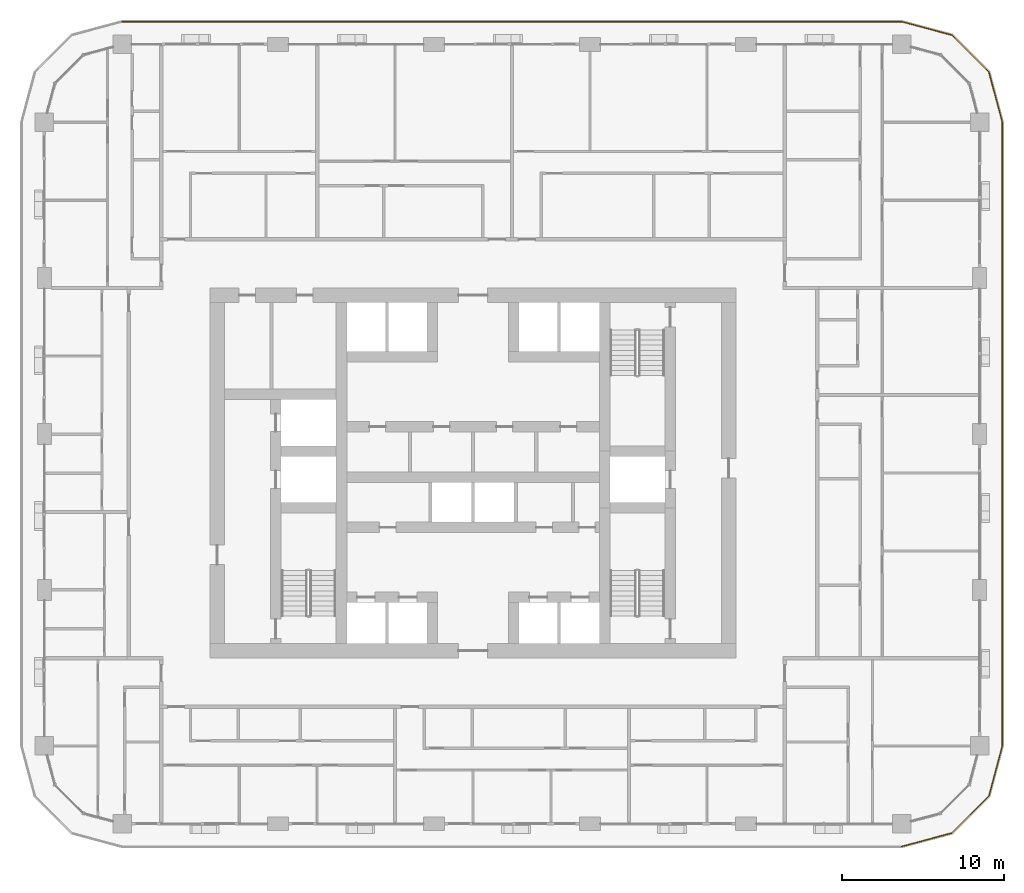
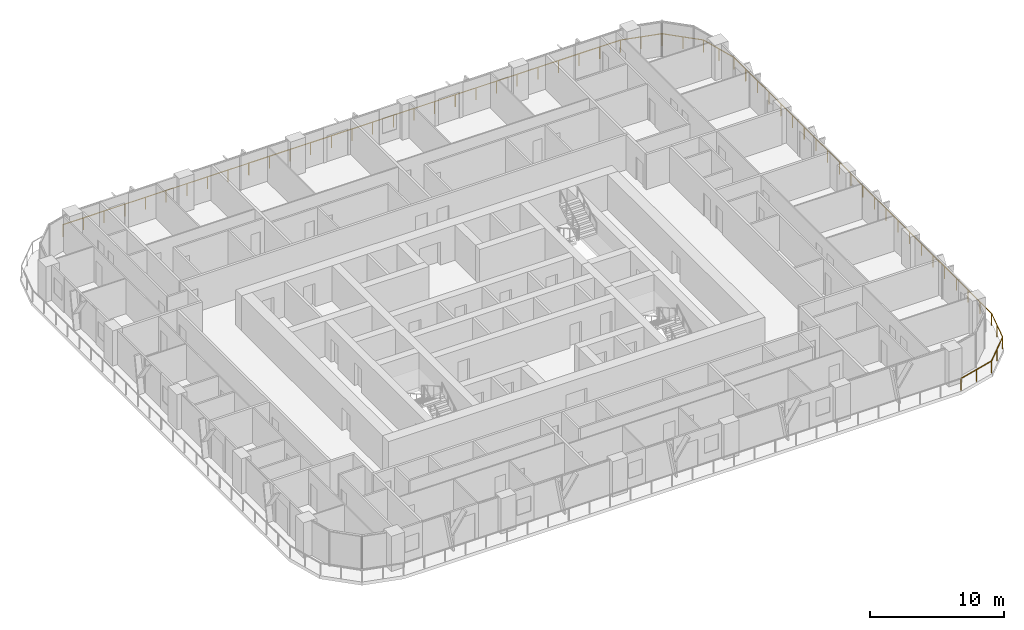
# One storey, part 20 of 22: 1 railing.
"""IFC4 building model written with IfcOpenShell, lengths in metres."""

from ifc_helpers import new_model, si_unit, direction, frame, origin, origin_2d, place, context, subcontext, project, spatial, circle, extrude, material, type_object, element, save


model = new_model("IFC4")

# Units and contexts
model_context = context("Model", 3, precision=1e-05, world=origin(), true_north=direction((0.0, 1.0)))
body_context = subcontext(model_context, "Body", "Model", "MODEL_VIEW")
ifc_project = project(units=[si_unit("LENGTHUNIT", "METRE"), si_unit("AREAUNIT", "SQUARE_METRE"), si_unit("VOLUMEUNIT", "CUBIC_METRE"), si_unit("PLANEANGLEUNIT", "RADIAN"), si_unit("MASSUNIT", "GRAM", prefix="KILO")], contexts=[model_context])

# Site, building, storey
site_placement = place(None, origin())
site = spatial("IfcSite", under=ifc_project, at=site_placement, CompositionType="ELEMENT")
building_placement = place(site_placement, origin())
building = spatial("IfcBuilding", under=site, at=building_placement, Name="Madar Terraces", CompositionType="ELEMENT")
storey_placement = place(building_placement, frame((0.0, 0.0, 103.199951171875)))
storey = spatial("IfcBuildingStorey", under=building, at=storey_placement, Name="L26", CompositionType="ELEMENT", Elevation=103.199951171875)

# Railing
ifc_material = material(Name="Glass, safety glazing, with stainless steel posts", Category="steel")
railing_type = type_object("IfcRailingType", Name="Balcony glass guard 1100", PredefinedType="GUARDRAIL", material=ifc_material)
railing_placement = place(storey_placement, frame((57.60009765625, 3.39990234375, 0.0)))
element("IfcRailing", 1, at=railing_placement, inside=storey, type_object=railing_type, Name="Balcony guard", PredefinedType="GUARDRAIL", context=body_context, shape_type="SweptSolid", body=[
    extrude(circle(Radius=0.02392578125, at=origin_2d()), frame((0.0, 0.0, 1.076171875), z_axis=(0.965909675762, 0.25887931217, 0.0), x_axis=(-0.25887931217, 0.965909675762, 0.0)), (0.0, 0.0, 1.0), 3.209228515625),
    extrude(circle(Radius=0.02392578125, at=origin_2d()), frame((3.099853515625, 0.830810546875, 1.076171875), z_axis=(0.707144815061, 0.707068745266, 0.0), x_axis=(-0.707068745266, 0.707144815061, 0.0)), (0.0, 0.0, 1.0), 3.20947265625),
    extrude(circle(Radius=0.02392578125, at=origin_2d()), frame((5.369384765625, 3.10009765625, 1.076171875), z_axis=(0.258789317819, 0.9659337912, 0.0), x_axis=(-0.9659337912, 0.258789317819, 0.0)), (0.0, 0.0, 1.0), 3.20947265625),
    extrude(circle(Radius=0.02392578125, at=origin_2d()), frame((6.199951171875, 6.2001953125, 1.076171875), z_axis=(0.0, 1.0, 0.0), x_axis=(-1.0, 0.0, 0.0)), (0.0, 0.0, 1.0), 38.39990234375),
    extrude(circle(Radius=0.02392578125, at=origin_2d()), frame((6.199951171875, 44.60009765625, 1.076171875), z_axis=(-0.258789317819, 0.9659337912, 0.0), x_axis=(-0.9659337912, -0.258789317819, 0.0)), (0.0, 0.0, 1.0), 3.20947265625),
    extrude(circle(Radius=0.02392578125, at=origin_2d()), frame((5.369384765625, 47.7001953125, 1.076171875), z_axis=(-0.707144815061, 0.707068745266, 0.0), x_axis=(-0.707068745266, -0.707144815061, 0.0)), (0.0, 0.0, 1.0), 3.20947265625),
    extrude(circle(Radius=0.02392578125, at=origin_2d()), frame((3.099853515625, 49.969482421875, 1.076171875), z_axis=(-0.965928696102, 0.258808334578, 0.0), x_axis=(-0.258808334578, -0.965928696102, 0.0)), (0.0, 0.0, 1.0), 3.209228515625),
    extrude(circle(Radius=0.02392578125, at=origin_2d()), frame((0.0, 50.800048828125, 1.076171875), z_axis=(-1.0, 0.0, 0.0), x_axis=(0.0, -1.0, 0.0)), (0.0, 0.0, 1.0), 48.0),
    extrude(circle(Radius=0.02099609375, at=origin_2d()), origin(), (0.0, 0.0, 1.0), 1.052001953125),
    extrude(circle(Radius=0.02099609375, at=origin_2d()), frame((1.5498046875, 0.41552734375, 0.0)), (0.0, 0.0, 1.0), 1.052001953125),
    extrude(circle(Radius=0.02099609375, at=origin_2d()), frame((3.099853515625, 0.830810546875, 0.0)), (0.0, 0.0, 1.0), 1.052001953125),
    extrude(circle(Radius=0.02099609375, at=origin_2d()), frame((4.234619140625, 1.96533203125, 0.0)), (0.0, 0.0, 1.0), 1.052001953125),
    extrude(circle(Radius=0.02099609375, at=origin_2d()), frame((5.369384765625, 3.10009765625, 0.0)), (0.0, 0.0, 1.0), 1.052001953125),
    extrude(circle(Radius=0.02099609375, at=origin_2d()), frame((5.78466796875, 4.650146484375, 0.0)), (0.0, 0.0, 1.0), 1.052001953125),
    extrude(circle(Radius=0.02099609375, at=origin_2d()), frame((6.199951171875, 6.2001953125, 0.0)), (0.0, 0.0, 1.0), 1.052001953125),
    extrude(circle(Radius=0.02099609375, at=origin_2d()), frame((6.199951171875, 7.945556640625, 0.0)), (0.0, 0.0, 1.0), 1.052001953125),
    extrude(circle(Radius=0.02099609375, at=origin_2d()), frame((6.199951171875, 9.691162109375, 0.0)), (0.0, 0.0, 1.0), 1.052001953125),
    extrude(circle(Radius=0.02099609375, at=origin_2d()), frame((6.199951171875, 11.4365234375, 0.0)), (0.0, 0.0, 1.0), 1.052001953125),
    extrude(circle(Radius=0.02099609375, at=origin_2d()), frame((6.199951171875, 13.181884765625, 0.0)), (0.0, 0.0, 1.0), 1.052001953125),
    extrude(circle(Radius=0.02099609375, at=origin_2d()), frame((6.199951171875, 14.927490234375, 0.0)), (0.0, 0.0, 1.0), 1.052001953125),
    extrude(circle(Radius=0.02099609375, at=origin_2d()), frame((6.199951171875, 16.6728515625, 0.0)), (0.0, 0.0, 1.0), 1.052001953125),
    extrude(circle(Radius=0.02099609375, at=origin_2d()), frame((6.199951171875, 18.41845703125, 0.0)), (0.0, 0.0, 1.0), 1.052001953125),
    extrude(circle(Radius=0.02099609375, at=origin_2d()), frame((6.199951171875, 20.163818359375, 0.0)), (0.0, 0.0, 1.0), 1.052001953125),
    extrude(circle(Radius=0.02099609375, at=origin_2d()), frame((6.199951171875, 21.9091796875, 0.0)), (0.0, 0.0, 1.0), 1.052001953125),
    extrude(circle(Radius=0.02099609375, at=origin_2d()), frame((6.199951171875, 23.65478515625, 0.0)), (0.0, 0.0, 1.0), 1.052001953125),
    extrude(circle(Radius=0.02099609375, at=origin_2d()), frame((6.199951171875, 25.400146484375, 0.0)), (0.0, 0.0, 1.0), 1.052001953125),
    extrude(circle(Radius=0.02099609375, at=origin_2d()), frame((6.199951171875, 27.1455078125, 0.0)), (0.0, 0.0, 1.0), 1.052001953125),
    extrude(circle(Radius=0.02099609375, at=origin_2d()), frame((6.199951171875, 28.89111328125, 0.0)), (0.0, 0.0, 1.0), 1.052001953125),
    extrude(circle(Radius=0.02099609375, at=origin_2d()), frame((6.199951171875, 30.636474609375, 0.0)), (0.0, 0.0, 1.0), 1.052001953125),
    extrude(circle(Radius=0.02099609375, at=origin_2d()), frame((6.199951171875, 32.3818359375, 0.0)), (0.0, 0.0, 1.0), 1.052001953125),
    extrude(circle(Radius=0.02099609375, at=origin_2d()), frame((6.199951171875, 34.12744140625, 0.0)), (0.0, 0.0, 1.0), 1.052001953125),
    extrude(circle(Radius=0.02099609375, at=origin_2d()), frame((6.199951171875, 35.872802734375, 0.0)), (0.0, 0.0, 1.0), 1.052001953125),
    extrude(circle(Radius=0.02099609375, at=origin_2d()), frame((6.199951171875, 37.618408203125, 0.0)), (0.0, 0.0, 1.0), 1.052001953125),
    extrude(circle(Radius=0.02099609375, at=origin_2d()), frame((6.199951171875, 39.36376953125, 0.0)), (0.0, 0.0, 1.0), 1.052001953125),
    extrude(circle(Radius=0.02099609375, at=origin_2d()), frame((6.199951171875, 41.109130859375, 0.0)), (0.0, 0.0, 1.0), 1.052001953125),
    extrude(circle(Radius=0.02099609375, at=origin_2d()), frame((6.199951171875, 42.854736328125, 0.0)), (0.0, 0.0, 1.0), 1.052001953125),
    extrude(circle(Radius=0.02099609375, at=origin_2d()), frame((6.199951171875, 44.60009765625, 0.0)), (0.0, 0.0, 1.0), 1.052001953125),
    extrude(circle(Radius=0.02099609375, at=origin_2d()), frame((5.78466796875, 46.150146484375, 0.0)), (0.0, 0.0, 1.0), 1.052001953125),
    extrude(circle(Radius=0.02099609375, at=origin_2d()), frame((5.369384765625, 47.7001953125, 0.0)), (0.0, 0.0, 1.0), 1.052001953125),
    extrude(circle(Radius=0.02099609375, at=origin_2d()), frame((4.234619140625, 48.8349609375, 0.0)), (0.0, 0.0, 1.0), 1.052001953125),
    extrude(circle(Radius=0.02099609375, at=origin_2d()), frame((3.099853515625, 49.969482421875, 0.0)), (0.0, 0.0, 1.0), 1.052001953125),
    extrude(circle(Radius=0.02099609375, at=origin_2d()), frame((1.5498046875, 50.384765625, 0.0)), (0.0, 0.0, 1.0), 1.052001953125),
    extrude(circle(Radius=0.02099609375, at=origin_2d()), frame((0.0, 50.800048828125, 0.0)), (0.0, 0.0, 1.0), 1.052001953125),
    extrude(circle(Radius=0.02099609375, at=origin_2d()), frame((-1.77783203125, 50.800048828125, 0.0)), (0.0, 0.0, 1.0), 1.052001953125),
    extrude(circle(Radius=0.02099609375, at=origin_2d()), frame((-3.5556640625, 50.800048828125, 0.0)), (0.0, 0.0, 1.0), 1.052001953125),
    extrude(circle(Radius=0.02099609375, at=origin_2d()), frame((-5.333251953125, 50.800048828125, 0.0)), (0.0, 0.0, 1.0), 1.052001953125),
    extrude(circle(Radius=0.02099609375, at=origin_2d()), frame((-7.111083984375, 50.800048828125, 0.0)), (0.0, 0.0, 1.0), 1.052001953125),
    extrude(circle(Radius=0.02099609375, at=origin_2d()), frame((-8.888916015625, 50.800048828125, 0.0)), (0.0, 0.0, 1.0), 1.052001953125),
    extrude(circle(Radius=0.02099609375, at=origin_2d()), frame((-10.666748046875, 50.800048828125, 0.0)), (0.0, 0.0, 1.0), 1.052001953125),
    extrude(circle(Radius=0.02099609375, at=origin_2d()), frame((-12.4443359375, 50.800048828125, 0.0)), (0.0, 0.0, 1.0), 1.052001953125),
    extrude(circle(Radius=0.02099609375, at=origin_2d()), frame((-14.22216796875, 50.800048828125, 0.0)), (0.0, 0.0, 1.0), 1.052001953125),
    extrude(circle(Radius=0.02099609375, at=origin_2d()), frame((-16.0, 50.800048828125, 0.0)), (0.0, 0.0, 1.0), 1.052001953125),
    extrude(circle(Radius=0.02099609375, at=origin_2d()), frame((-17.77783203125, 50.800048828125, 0.0)), (0.0, 0.0, 1.0), 1.052001953125),
    extrude(circle(Radius=0.02099609375, at=origin_2d()), frame((-19.5556640625, 50.800048828125, 0.0)), (0.0, 0.0, 1.0), 1.052001953125),
    extrude(circle(Radius=0.02099609375, at=origin_2d()), frame((-21.333251953125, 50.800048828125, 0.0)), (0.0, 0.0, 1.0), 1.052001953125),
    extrude(circle(Radius=0.02099609375, at=origin_2d()), frame((-23.111083984375, 50.800048828125, 0.0)), (0.0, 0.0, 1.0), 1.052001953125),
    extrude(circle(Radius=0.02099609375, at=origin_2d()), frame((-24.888916015625, 50.800048828125, 0.0)), (0.0, 0.0, 1.0), 1.052001953125),
    extrude(circle(Radius=0.02099609375, at=origin_2d()), frame((-26.666748046875, 50.800048828125, 0.0)), (0.0, 0.0, 1.0), 1.052001953125),
    extrude(circle(Radius=0.02099609375, at=origin_2d()), frame((-28.4443359375, 50.800048828125, 0.0)), (0.0, 0.0, 1.0), 1.052001953125),
    extrude(circle(Radius=0.02099609375, at=origin_2d()), frame((-30.22216796875, 50.800048828125, 0.0)), (0.0, 0.0, 1.0), 1.052001953125),
    extrude(circle(Radius=0.02099609375, at=origin_2d()), frame((-32.0, 50.800048828125, 0.0)), (0.0, 0.0, 1.0), 1.052001953125),
    extrude(circle(Radius=0.02099609375, at=origin_2d()), frame((-33.77783203125, 50.800048828125, 0.0)), (0.0, 0.0, 1.0), 1.052001953125),
    extrude(circle(Radius=0.02099609375, at=origin_2d()), frame((-35.5556640625, 50.800048828125, 0.0)), (0.0, 0.0, 1.0), 1.052001953125),
    extrude(circle(Radius=0.02099609375, at=origin_2d()), frame((-37.333251953125, 50.800048828125, 0.0)), (0.0, 0.0, 1.0), 1.052001953125),
    extrude(circle(Radius=0.02099609375, at=origin_2d()), frame((-39.111083984375, 50.800048828125, 0.0)), (0.0, 0.0, 1.0), 1.052001953125),
    extrude(circle(Radius=0.02099609375, at=origin_2d()), frame((-40.888916015625, 50.800048828125, 0.0)), (0.0, 0.0, 1.0), 1.052001953125),
    extrude(circle(Radius=0.02099609375, at=origin_2d()), frame((-42.666748046875, 50.800048828125, 0.0)), (0.0, 0.0, 1.0), 1.052001953125),
    extrude(circle(Radius=0.02099609375, at=origin_2d()), frame((-44.4443359375, 50.800048828125, 0.0)), (0.0, 0.0, 1.0), 1.052001953125),
    extrude(circle(Radius=0.02099609375, at=origin_2d()), frame((-46.22216796875, 50.800048828125, 0.0)), (0.0, 0.0, 1.0), 1.052001953125),
    extrude(circle(Radius=0.02099609375, at=origin_2d()), frame((-48.0, 50.800048828125, 0.0)), (0.0, 0.0, 1.0), 1.052001953125),
])

save(model, "model.ifc")
